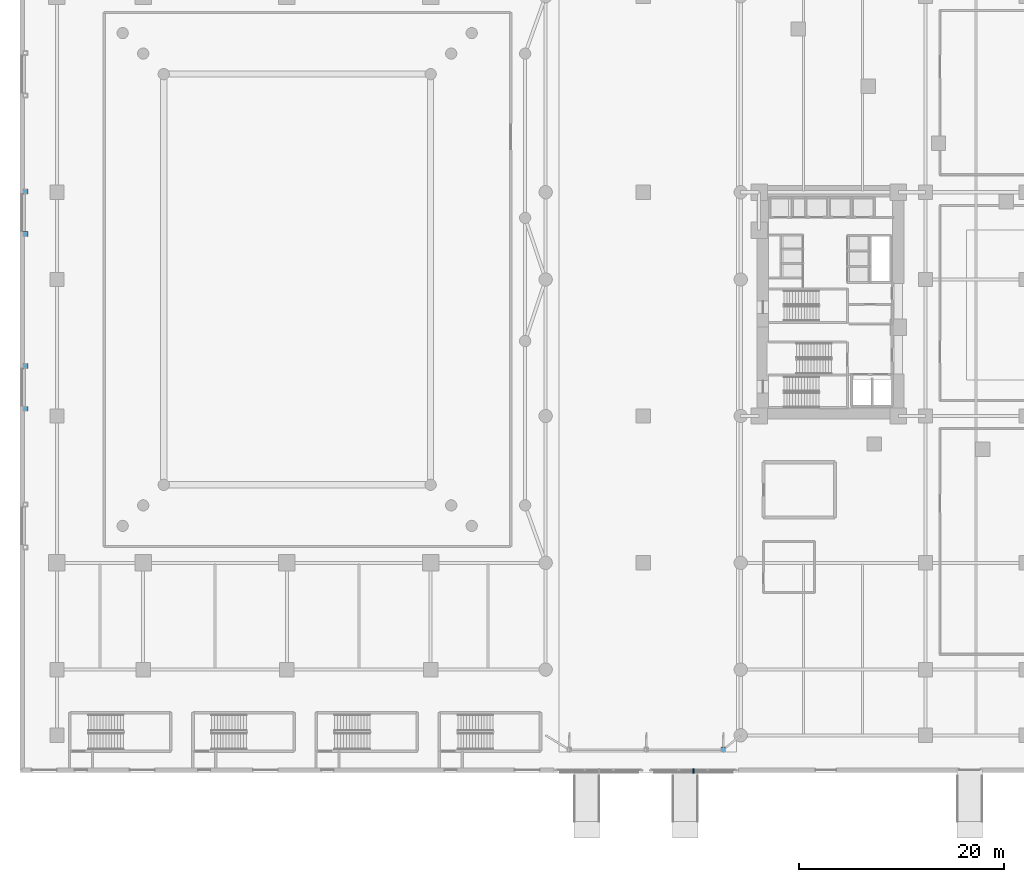
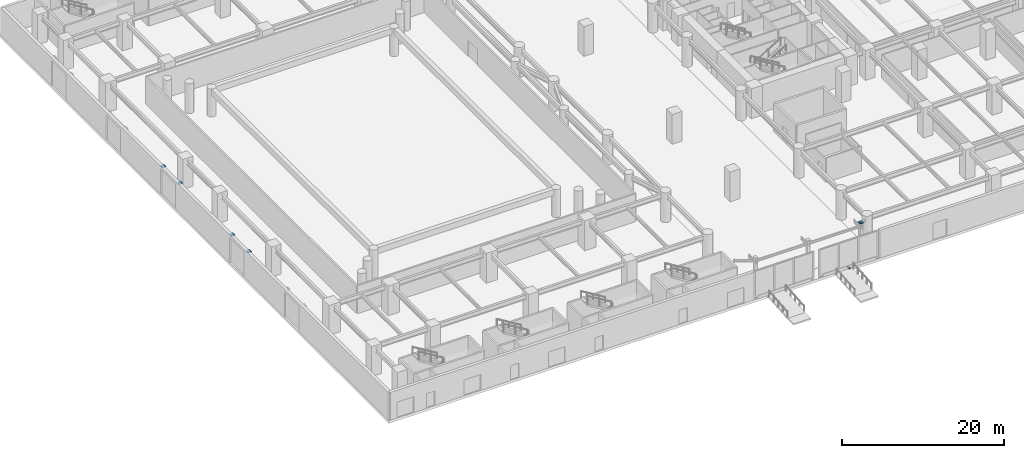
# One storey, part 30 of 42: 6 discrete accessories.
"""IFC4 building model written with IfcOpenShell, lengths in metres."""

from ifc_helpers import new_model, si_unit, direction, frame, origin, origin_2d, place, context, subcontext, project, spatial, rectangle, extrude, material, type_object, element, save


model = new_model("IFC4")

# Units and contexts
model_context = context("Model", 3, precision=1e-05, world=origin(), true_north=direction((0.0, 1.0)))
body_context = subcontext(model_context, "Body", "Model", "MODEL_VIEW")
ifc_project = project(units=[si_unit("LENGTHUNIT", "METRE"), si_unit("AREAUNIT", "SQUARE_METRE"), si_unit("VOLUMEUNIT", "CUBIC_METRE"), si_unit("PLANEANGLEUNIT", "RADIAN"), si_unit("MASSUNIT", "GRAM", prefix="KILO")], contexts=[model_context])

# Site, building, storey
site_placement = place(None, origin())
site = spatial("IfcSite", under=ifc_project, at=site_placement, CompositionType="ELEMENT")
building_placement = place(site_placement, origin())
building = spatial("IfcBuilding", under=site, at=building_placement, Name="Narakoshi Arena Tower", CompositionType="ELEMENT")
storey_placement = place(building_placement, origin())
storey = spatial("IfcBuildingStorey", under=building, at=storey_placement, Name="L00", CompositionType="ELEMENT", Elevation=0.0)

# Discrete accessories
ifc_material_1 = material(Name="Structural steel S355J2", Category="steel")
discrete_accessory_type_1 = type_object("IfcDiscreteAccessoryType", Name="ACC-BRK-SCR", PredefinedType="BRACKET", material=ifc_material_1)
discrete_accessory_placement = place(storey_placement, frame((65.60009765625, 0.1298828125, -0.080078125), z_axis=(0.0, 0.0, 1.0), x_axis=(1.0, 0.0, 0.0)))
element("IfcDiscreteAccessory", 1, at=discrete_accessory_placement, inside=storey, type_object=discrete_accessory_type_1, Name="L00 Solar Screen Support Bracket SHD-L00-SUN-CS2", PredefinedType="BRACKET", context=body_context, shape_type="SweptSolid", body=[
    extrude(rectangle(XDim=0.159912109375, YDim=0.4599609375, at=origin_2d()), origin(), (0.0, 0.0, 1.0), 0.199951171875),
])
ifc_material_2 = material(Name="Structural steel S460ML", Category="steel")
discrete_accessory_type_2 = type_object("IfcDiscreteAccessoryType", Name="ACC-GUS-PLT", PredefinedType="BRACKET", material=ifc_material_2)
for number, where, z_axis, x_axis, name in (
    (2, (68.5, 2.199951171875, 4.490234375), (0.0, 0.0, 1.0), (1.0, 0.0, 0.0), "L00 Canopy Column Top Cap Plate CAN03"),
    (3, (0.52001953125, 56.570068359375, 3.81005859375), (0.0, 0.0, 1.0), (1.0, 0.0, 0.0), "L00 Shutter Jamb Post Top Cap Plate 03N"),
    (4, (0.52001953125, 52.409912109375, 3.81005859375), (0.0, 0.0, 1.0), (1.0, 0.0, 0.0), "L00 Shutter Jamb Post Top Cap Plate 03S"),
    (5, (0.52001953125, 39.570068359375, 3.81005859375), (0.0, 0.0, 1.0), (1.0, 0.0, 0.0), "L00 Shutter Jamb Post Top Cap Plate 04N"),
    (6, (0.52001953125, 35.409912109375, 3.81005859375), (0.0, 0.0, 1.0), (1.0, 0.0, 0.0), "L00 Shutter Jamb Post Top Cap Plate 04S"),
):
    element("IfcDiscreteAccessory", number, at=place(storey_placement, frame(where, z_axis=z_axis, x_axis=x_axis)), inside=storey, type_object=discrete_accessory_type_2, Name=name, PredefinedType="BRACKET", context=body_context, shape_type="SweptSolid", body=[
        extrude(rectangle(XDim=0.47998046875, YDim=0.47998046875, at=origin_2d()), origin(), (0.0, 0.0, 1.0), 0.139892578125),
    ])

save(model, "model.ifc")
